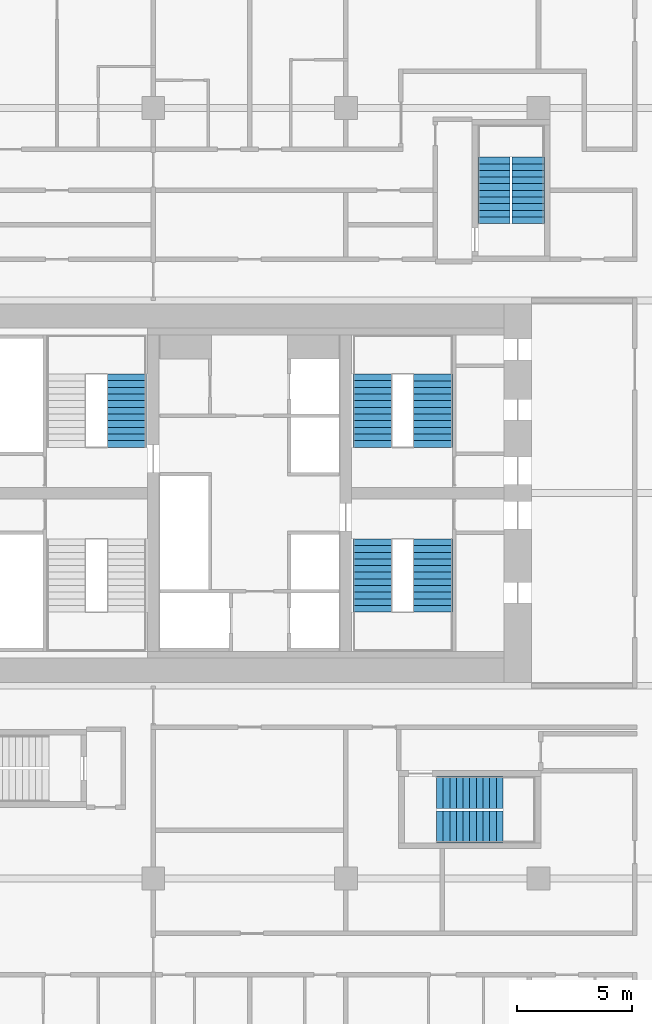
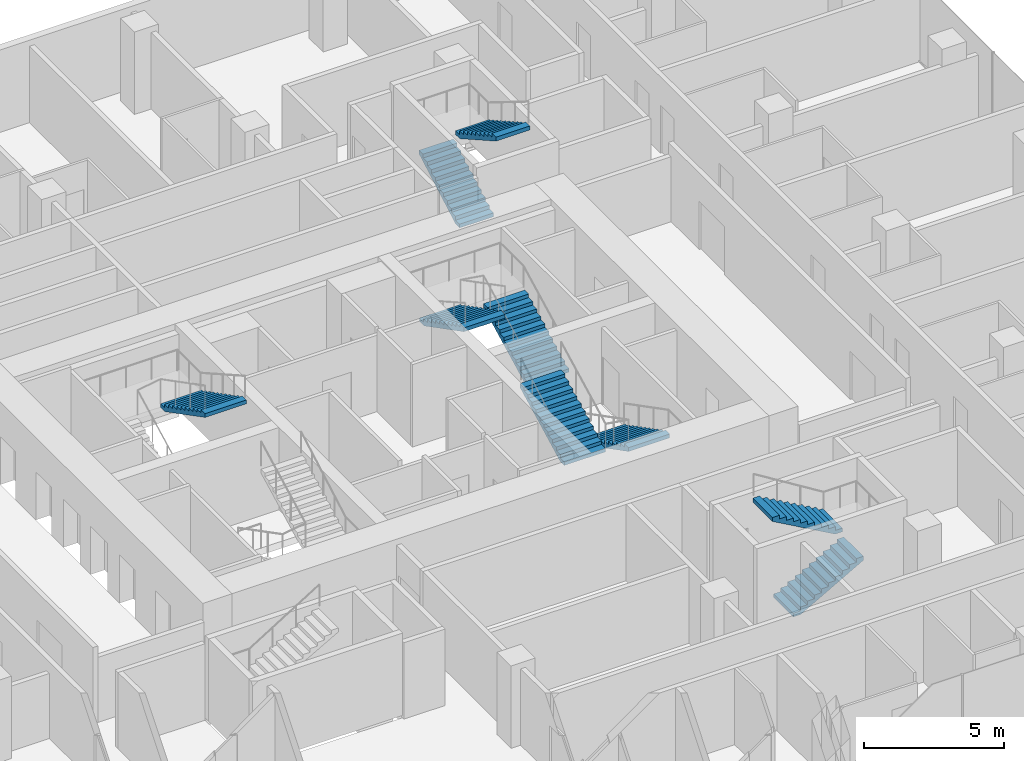
# One storey, part 24 of 26: 9 stair flights, 5 elements without a shape of their own.
"""IFC4 building model written with IfcOpenShell, lengths in metres."""

from ifc_helpers import new_model, si_unit, direction, frame, origin, place, context, subcontext, project, spatial, polyline, outline, extrude, material, type_object, element, aggregate, save


model = new_model("IFC4")

# Units and contexts
model_context = context("Model", 3, precision=1e-05, world=origin(), true_north=direction((0.0, 1.0)))
body_context = subcontext(model_context, "Body", "Model", "MODEL_VIEW")
ifc_project = project(units=[si_unit("LENGTHUNIT", "METRE"), si_unit("AREAUNIT", "SQUARE_METRE"), si_unit("VOLUMEUNIT", "CUBIC_METRE"), si_unit("PLANEANGLEUNIT", "RADIAN"), si_unit("MASSUNIT", "GRAM", prefix="KILO")], contexts=[model_context])

# Site, building, storey
site_placement = place(None, origin())
site = spatial("IfcSite", under=ifc_project, at=site_placement, CompositionType="ELEMENT")
building_placement = place(site_placement, origin())
building = spatial("IfcBuilding", under=site, at=building_placement, Name="Marenta Gate Hotel Tower", CompositionType="ELEMENT")
storey_placement = place(building_placement, frame((0.0, 0.0, 79.699951171875)))
storey = spatial("IfcBuildingStorey", under=building, at=storey_placement, Name="L18", CompositionType="ELEMENT", Elevation=79.699951171875)

# Stair, stair flight
ifc_material_1 = material(Name="Concrete C40", Category="concrete")
stair_type_1 = type_object("IfcStairType", Name="Core exit stair 1700 wide", PredefinedType="HALF_TURN_STAIR", material=ifc_material_1)
stair_1_placement = place(storey_placement, origin())
stair_1 = element("IfcStair", 1, at=stair_1_placement, inside=storey, type_object=stair_type_1, Name="Exit stair 2", PredefinedType="HALF_TURN_STAIR")
ifc_material_2 = material(Name="Concrete C40", Category="concrete")
stair_flight_type_1 = type_object("IfcStairFlightType", Name="Core stair flight 1700 riser 150.0 going 290", PredefinedType="STRAIGHT", material=ifc_material_2)
stair_flight_1_placement = place(storey_placement, frame((-5.35009765625, 13.590087890625, 1.800048828125), z_axis=(0.0, 0.0, 1.0), x_axis=(0.0, -1.0, 0.0)))
stair_flight_1 = element("IfcStairFlight", 2, at=stair_flight_1_placement, type_object=stair_flight_type_1, Name="ST2 flight 2", NumberOfRisers=12, NumberOfTreads=11, PredefinedType="STRAIGHT", RiserHeight=0.15, TreadLength=0.29, context=body_context, shape_type="SweptSolid", body=[
    extrude(outline(polyline([(0.0, 0.0), (0.0, 0.14990234375), (0.2900390625, 0.14990234375), (0.2900390625, 0.300048828125), (0.580078125, 0.300048828125), (0.580078125, 0.449951171875), (0.8701171875, 0.449951171875), (0.8701171875, 0.60009765625), (1.159912109375, 0.60009765625), (1.159912109375, 0.75), (1.449951171875, 0.75), (1.449951171875, 0.89990234375), (1.739990234375, 0.89990234375), (1.739990234375, 1.050048828125), (2.030029296875, 1.050048828125), (2.030029296875, 1.199951171875), (2.320068359375, 1.199951171875), (2.320068359375, 1.35009765625), (2.610107421875, 1.35009765625), (2.610107421875, 1.5), (2.89990234375, 1.5), (2.89990234375, 1.64990234375), (3.18994140625, 1.64990234375), (3.18994140625, 1.800048828125), (3.18994140625, 1.481201171875), (0.326171875, 0.0), (0.0, 0.0)])), frame((0.0, 0.85009765625, 0.0), z_axis=(0.0, -1.0, 0.0), x_axis=(1.0, 0.0, 0.0)), (0.0, 0.0, 1.0), 1.699951171875),
])
aggregate(stair_1, [stair_flight_1])

# Stair, stair flights
stair_2_placement = place(storey_placement, origin())
stair_2 = element("IfcStair", 3, at=stair_2_placement, inside=storey, type_object=stair_type_1, Name="Exit stair 3", PredefinedType="HALF_TURN_STAIR")
stair_flight_2_placement = place(storey_placement, frame((8.0, 6.39990234375, 0.0), z_axis=(0.0, 0.0, 1.0), x_axis=(0.0, -1.0, 0.0)))
stair_flight_2 = element("IfcStairFlight", 4, at=stair_flight_2_placement, type_object=stair_flight_type_1, Name="ST3 flight 1", NumberOfRisers=12, NumberOfTreads=11, PredefinedType="STRAIGHT", RiserHeight=0.15, TreadLength=0.29, context=body_context, shape_type="SweptSolid", body=[
    extrude(outline(polyline([(0.0, 0.0), (0.0, 0.14990234375), (0.2900390625, 0.14990234375), (0.2900390625, 0.300048828125), (0.580078125, 0.300048828125), (0.580078125, 0.449951171875), (0.8701171875, 0.449951171875), (0.8701171875, 0.60009765625), (1.159912109375, 0.60009765625), (1.159912109375, 0.75), (1.449951171875, 0.75), (1.449951171875, 0.89990234375), (1.739990234375, 0.89990234375), (1.739990234375, 1.050048828125), (2.030029296875, 1.050048828125), (2.030029296875, 1.199951171875), (2.320068359375, 1.199951171875), (2.320068359375, 1.35009765625), (2.610107421875, 1.35009765625), (2.610107421875, 1.5), (2.89990234375, 1.5), (2.89990234375, 1.64990234375), (3.18994140625, 1.64990234375), (3.18994140625, 1.800048828125), (3.18994140625, 1.481201171875), (0.326171875, 0.0), (0.0, 0.0)])), frame((0.0, 0.85009765625, 0.0), z_axis=(0.0, -1.0, 0.0), x_axis=(1.0, 0.0, 0.0)), (0.0, 0.0, 1.0), 1.699951171875),
])
stair_flight_3_placement = place(storey_placement, frame((5.35009765625, 3.2099609375, 1.800048828125), z_axis=(0.0, 0.0, 1.0), x_axis=(0.0, 1.0, 0.0)))
stair_flight_3 = element("IfcStairFlight", 5, at=stair_flight_3_placement, type_object=stair_flight_type_1, Name="ST3 flight 2", NumberOfRisers=12, NumberOfTreads=11, PredefinedType="STRAIGHT", RiserHeight=0.15, TreadLength=0.29, context=body_context, shape_type="SweptSolid", body=[
    extrude(outline(polyline([(0.0, 0.0), (0.0, 0.14990234375), (0.2900390625, 0.14990234375), (0.2900390625, 0.300048828125), (0.580078125, 0.300048828125), (0.580078125, 0.449951171875), (0.8701171875, 0.449951171875), (0.8701171875, 0.60009765625), (1.159912109375, 0.60009765625), (1.159912109375, 0.75), (1.449951171875, 0.75), (1.449951171875, 0.89990234375), (1.739990234375, 0.89990234375), (1.739990234375, 1.050048828125), (2.030029296875, 1.050048828125), (2.030029296875, 1.199951171875), (2.320068359375, 1.199951171875), (2.320068359375, 1.35009765625), (2.610107421875, 1.35009765625), (2.610107421875, 1.5), (2.89990234375, 1.5), (2.89990234375, 1.64990234375), (3.18994140625, 1.64990234375), (3.18994140625, 1.800048828125), (3.18994140625, 1.481201171875), (0.326171875, 0.0), (0.0, 0.0)])), frame((0.0, 0.85009765625, 0.0), z_axis=(0.0, -1.0, 0.0), x_axis=(1.0, 0.0, 0.0)), (0.0, 0.0, 1.0), 1.699951171875),
])
aggregate(stair_2, [stair_flight_2, stair_flight_3])

stair_3_placement = place(storey_placement, origin())
stair_3 = element("IfcStair", 6, at=stair_3_placement, inside=storey, type_object=stair_type_1, Name="Exit stair 4", PredefinedType="HALF_TURN_STAIR")
stair_flight_4_placement = place(storey_placement, frame((8.0, 10.39990234375, 0.0), z_axis=(0.0, 0.0, 1.0), x_axis=(0.0, 1.0, 0.0)))
stair_flight_4 = element("IfcStairFlight", 7, at=stair_flight_4_placement, type_object=stair_flight_type_1, Name="ST4 flight 1", NumberOfRisers=12, NumberOfTreads=11, PredefinedType="STRAIGHT", RiserHeight=0.15, TreadLength=0.29, context=body_context, shape_type="SweptSolid", body=[
    extrude(outline(polyline([(0.0, 0.0), (0.0, 0.14990234375), (0.2900390625, 0.14990234375), (0.2900390625, 0.300048828125), (0.580078125, 0.300048828125), (0.580078125, 0.449951171875), (0.8701171875, 0.449951171875), (0.8701171875, 0.60009765625), (1.159912109375, 0.60009765625), (1.159912109375, 0.75), (1.449951171875, 0.75), (1.449951171875, 0.89990234375), (1.739990234375, 0.89990234375), (1.739990234375, 1.050048828125), (2.030029296875, 1.050048828125), (2.030029296875, 1.199951171875), (2.320068359375, 1.199951171875), (2.320068359375, 1.35009765625), (2.610107421875, 1.35009765625), (2.610107421875, 1.5), (2.89990234375, 1.5), (2.89990234375, 1.64990234375), (3.18994140625, 1.64990234375), (3.18994140625, 1.800048828125), (3.18994140625, 1.481201171875), (0.326171875, 0.0), (0.0, 0.0)])), frame((0.0, 0.85009765625, 0.0), z_axis=(0.0, -1.0, 0.0), x_axis=(1.0, 0.0, 0.0)), (0.0, 0.0, 1.0), 1.699951171875),
])
stair_flight_5_placement = place(storey_placement, frame((5.35009765625, 13.590087890625, 1.800048828125), z_axis=(0.0, 0.0, 1.0), x_axis=(0.0, -1.0, 0.0)))
stair_flight_5 = element("IfcStairFlight", 8, at=stair_flight_5_placement, type_object=stair_flight_type_1, Name="ST4 flight 2", NumberOfRisers=12, NumberOfTreads=11, PredefinedType="STRAIGHT", RiserHeight=0.15, TreadLength=0.29, context=body_context, shape_type="SweptSolid", body=[
    extrude(outline(polyline([(0.0, 0.0), (0.0, 0.14990234375), (0.2900390625, 0.14990234375), (0.2900390625, 0.300048828125), (0.580078125, 0.300048828125), (0.580078125, 0.449951171875), (0.8701171875, 0.449951171875), (0.8701171875, 0.60009765625), (1.159912109375, 0.60009765625), (1.159912109375, 0.75), (1.449951171875, 0.75), (1.449951171875, 0.89990234375), (1.739990234375, 0.89990234375), (1.739990234375, 1.050048828125), (2.030029296875, 1.050048828125), (2.030029296875, 1.199951171875), (2.320068359375, 1.199951171875), (2.320068359375, 1.35009765625), (2.610107421875, 1.35009765625), (2.610107421875, 1.5), (2.89990234375, 1.5), (2.89990234375, 1.64990234375), (3.18994140625, 1.64990234375), (3.18994140625, 1.800048828125), (3.18994140625, 1.481201171875), (0.326171875, 0.0), (0.0, 0.0)])), frame((0.0, 0.85009765625, 0.0), z_axis=(0.0, -1.0, 0.0), x_axis=(1.0, 0.0, 0.0)), (0.0, 0.0, 1.0), 1.699951171875),
])
aggregate(stair_3, [stair_flight_4, stair_flight_5])

ifc_material_3 = material(Name="Concrete C40", Category="concrete")
stair_type_2 = type_object("IfcStairType", Name="Remote exit stair 1400 wide", PredefinedType="HALF_TURN_STAIR", material=ifc_material_3)
stair_4_placement = place(storey_placement, origin())
stair_4 = element("IfcStair", 9, at=stair_4_placement, inside=storey, type_object=stair_type_2, Name="Exit stair RS-Z1-1", PredefinedType="HALF_TURN_STAIR")
ifc_material_4 = material(Name="Concrete C40", Category="concrete")
stair_flight_type_2 = type_object("IfcStairFlightType", Name="Remote stair flight 1400 riser 163.6 going 290", PredefinedType="STRAIGHT", material=ifc_material_4)
stair_flight_6_placement = place(storey_placement, frame((8.14990234375, -6.14990234375, 0.0), z_axis=(0.0, 0.0, 1.0), x_axis=(1.0, 0.0, 0.0)))
stair_flight_6 = element("IfcStairFlight", 10, at=stair_flight_6_placement, type_object=stair_flight_type_2, Name="RS-Z1-1 flight 1", NumberOfRisers=11, NumberOfTreads=10, PredefinedType="STRAIGHT", RiserHeight=0.163636, TreadLength=0.29, context=body_context, shape_type="SweptSolid", body=[
    extrude(outline(polyline([(0.0, 0.0), (0.0, 0.16357421875), (0.2900390625, 0.16357421875), (0.2900390625, 0.327392578125), (0.580078125, 0.327392578125), (0.580078125, 0.490966796875), (0.8701171875, 0.490966796875), (0.8701171875, 0.654541015625), (1.159912109375, 0.654541015625), (1.159912109375, 0.818115234375), (1.449951171875, 0.818115234375), (1.449951171875, 0.98193359375), (1.739990234375, 0.98193359375), (1.739990234375, 1.1455078125), (2.030029296875, 1.1455078125), (2.030029296875, 1.30908203125), (2.320068359375, 1.30908203125), (2.320068359375, 1.47265625), (2.610107421875, 1.47265625), (2.610107421875, 1.636474609375), (2.89990234375, 1.636474609375), (2.89990234375, 1.800048828125), (2.89990234375, 1.46435546875), (0.304931640625, 0.0), (0.0, 0.0)])), frame((0.0, 0.699951171875, 0.0), z_axis=(0.0, -1.0, 0.0), x_axis=(1.0, 0.0, 0.0)), (0.0, 0.0, 1.0), 1.39990234375),
])
stair_flight_7_placement = place(storey_placement, frame((11.050048828125, -4.64990234375, 1.800048828125), z_axis=(0.0, 0.0, 1.0), x_axis=(-1.0, 0.0, 0.0)))
stair_flight_7 = element("IfcStairFlight", 11, at=stair_flight_7_placement, type_object=stair_flight_type_2, Name="RS-Z1-1 flight 2", NumberOfRisers=11, NumberOfTreads=10, PredefinedType="STRAIGHT", RiserHeight=0.163636, TreadLength=0.29, context=body_context, shape_type="SweptSolid", body=[
    extrude(outline(polyline([(0.0, 0.0), (0.0, 0.16357421875), (0.2900390625, 0.16357421875), (0.2900390625, 0.327392578125), (0.580078125, 0.327392578125), (0.580078125, 0.490966796875), (0.8701171875, 0.490966796875), (0.8701171875, 0.654541015625), (1.159912109375, 0.654541015625), (1.159912109375, 0.818115234375), (1.449951171875, 0.818115234375), (1.449951171875, 0.98193359375), (1.739990234375, 0.98193359375), (1.739990234375, 1.1455078125), (2.030029296875, 1.1455078125), (2.030029296875, 1.30908203125), (2.320068359375, 1.30908203125), (2.320068359375, 1.47265625), (2.610107421875, 1.47265625), (2.610107421875, 1.636474609375), (2.89990234375, 1.636474609375), (2.89990234375, 1.800048828125), (2.89990234375, 1.46435546875), (0.304931640625, 0.0), (0.0, 0.0)])), frame((0.0, 0.699951171875, 0.0), z_axis=(0.0, -1.0, 0.0), x_axis=(1.0, 0.0, 0.0)), (0.0, 0.0, 1.0), 1.39990234375),
])
aggregate(stair_4, [stair_flight_6, stair_flight_7])

stair_5_placement = place(storey_placement, origin())
stair_5 = element("IfcStair", 12, at=stair_5_placement, inside=storey, type_object=stair_type_2, Name="Exit stair RS-Z1-4", PredefinedType="HALF_TURN_STAIR")
stair_flight_8_placement = place(storey_placement, frame((10.64990234375, 20.14990234375, 0.0), z_axis=(0.0, 0.0, 1.0), x_axis=(0.0, 1.0, 0.0)))
stair_flight_8 = element("IfcStairFlight", 13, at=stair_flight_8_placement, type_object=stair_flight_type_2, Name="RS-Z1-4 flight 1", NumberOfRisers=11, NumberOfTreads=10, PredefinedType="STRAIGHT", RiserHeight=0.163636, TreadLength=0.29, context=body_context, shape_type="SweptSolid", body=[
    extrude(outline(polyline([(0.0, 0.0), (0.0, 0.16357421875), (0.2900390625, 0.16357421875), (0.2900390625, 0.327392578125), (0.580078125, 0.327392578125), (0.580078125, 0.490966796875), (0.8701171875, 0.490966796875), (0.8701171875, 0.654541015625), (1.159912109375, 0.654541015625), (1.159912109375, 0.818115234375), (1.449951171875, 0.818115234375), (1.449951171875, 0.98193359375), (1.739990234375, 0.98193359375), (1.739990234375, 1.1455078125), (2.030029296875, 1.1455078125), (2.030029296875, 1.30908203125), (2.320068359375, 1.30908203125), (2.320068359375, 1.47265625), (2.610107421875, 1.47265625), (2.610107421875, 1.636474609375), (2.89990234375, 1.636474609375), (2.89990234375, 1.800048828125), (2.89990234375, 1.46435546875), (0.304931640625, 0.0), (0.0, 0.0)])), frame((0.0, 0.699951171875, 0.0), z_axis=(0.0, -1.0, 0.0), x_axis=(1.0, 0.0, 0.0)), (0.0, 0.0, 1.0), 1.39990234375),
])
stair_flight_9_placement = place(storey_placement, frame((12.14990234375, 23.050048828125, 1.800048828125), z_axis=(0.0, 0.0, 1.0), x_axis=(0.0, -1.0, 0.0)))
stair_flight_9 = element("IfcStairFlight", 14, at=stair_flight_9_placement, type_object=stair_flight_type_2, Name="RS-Z1-4 flight 2", NumberOfRisers=11, NumberOfTreads=10, PredefinedType="STRAIGHT", RiserHeight=0.163636, TreadLength=0.29, context=body_context, shape_type="SweptSolid", body=[
    extrude(outline(polyline([(0.0, 0.0), (0.0, 0.16357421875), (0.2900390625, 0.16357421875), (0.2900390625, 0.327392578125), (0.580078125, 0.327392578125), (0.580078125, 0.490966796875), (0.8701171875, 0.490966796875), (0.8701171875, 0.654541015625), (1.159912109375, 0.654541015625), (1.159912109375, 0.818115234375), (1.449951171875, 0.818115234375), (1.449951171875, 0.98193359375), (1.739990234375, 0.98193359375), (1.739990234375, 1.1455078125), (2.030029296875, 1.1455078125), (2.030029296875, 1.30908203125), (2.320068359375, 1.30908203125), (2.320068359375, 1.47265625), (2.610107421875, 1.47265625), (2.610107421875, 1.636474609375), (2.89990234375, 1.636474609375), (2.89990234375, 1.800048828125), (2.89990234375, 1.46435546875), (0.304931640625, 0.0), (0.0, 0.0)])), frame((0.0, 0.699951171875, 0.0), z_axis=(0.0, -1.0, 0.0), x_axis=(1.0, 0.0, 0.0)), (0.0, 0.0, 1.0), 1.39990234375),
])
aggregate(stair_5, [stair_flight_8, stair_flight_9])

save(model, "model.ifc")
